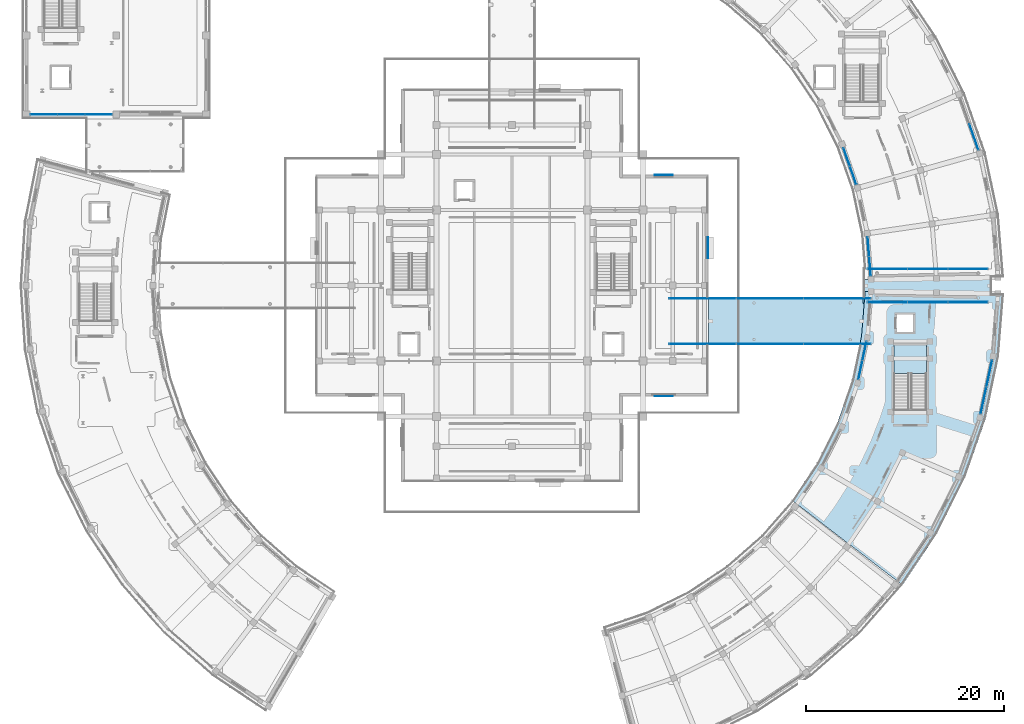
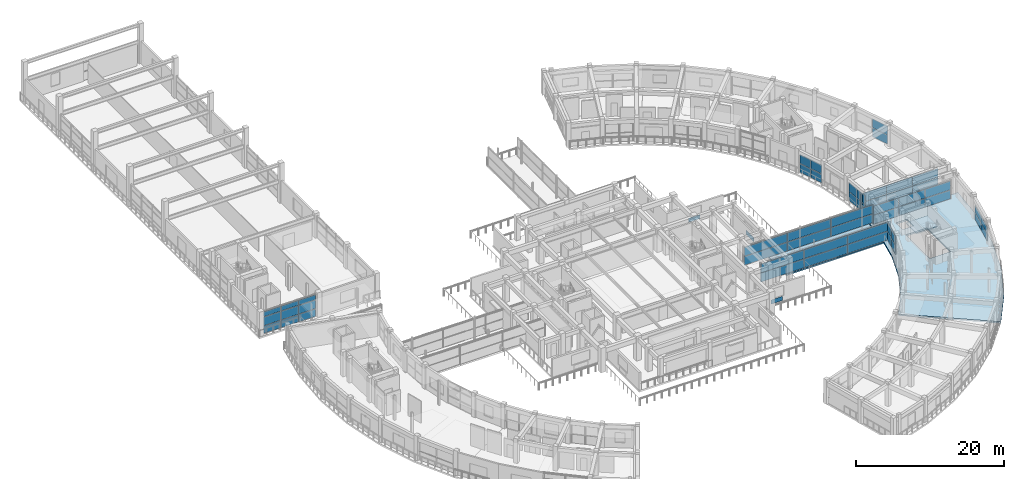
# One storey, part 40 of 72: 54 plates, 4 slabs, 11 elements without a shape of their own.
"""IFC4 building model written with IfcOpenShell, lengths in metres."""

from ifc_helpers import new_model, si_unit, direction, frame, origin, origin_2d, place, context, subcontext, project, spatial, polyline, rectangle, outline, extrude, material, layer, layer_set, type_object, element, aggregate, save


model = new_model("IFC4")

# Units and contexts
model_context = context("Model", 3, precision=1e-05, world=origin(), true_north=direction((0.0, 1.0)))
body_context = subcontext(model_context, "Body", "Model", "MODEL_VIEW")
ifc_project = project(units=[si_unit("LENGTHUNIT", "METRE"), si_unit("AREAUNIT", "SQUARE_METRE"), si_unit("VOLUMEUNIT", "CUBIC_METRE"), si_unit("PLANEANGLEUNIT", "RADIAN"), si_unit("MASSUNIT", "GRAM", prefix="KILO")], contexts=[model_context])

# Site, building, storey
site_placement = place(None, origin())
site = spatial("IfcSite", under=ifc_project, at=site_placement, CompositionType="ELEMENT")
building_placement = place(site_placement, origin())
building = spatial("IfcBuilding", under=site, at=building_placement, Name="Saryqyr Civic Hall", CompositionType="ELEMENT")
storey_placement = place(building_placement, frame((0.0, 0.0, 17.25)))
storey = spatial("IfcBuildingStorey", under=building, at=storey_placement, Name="L04", CompositionType="ELEMENT", Elevation=17.25)

# Curtain wall, plates
ifc_material_1 = material(Name="Anodised aluminium and triple low-E glass", Category="aluminium")
curtain_wall_type_1 = type_object("IfcCurtainWallType", Name="ENV-CW-STD-03", PredefinedType="NOTDEFINED", material=ifc_material_1)
curtain_wall_1_placement = place(storey_placement, origin())
curtain_wall_1 = element("IfcCurtainWall", 1, at=curtain_wall_1_placement, inside=storey, type_object=curtain_wall_type_1, Name="Curtain wall V5-CWO-L04-08", PredefinedType="NOTDEFINED")
ifc_material_2 = material(Name="Triple low-E insulated glazing", Category="glass")
ifc_layer_1 = layer(ifc_material_2, 0.053955078125, Name="Triple low-E insulated glazing")
ifc_layer_set_1 = layer_set([ifc_layer_1], Name="Triple low-E insulated glazing")
plate_type_1 = type_object("IfcPlateType", Name="ENV-CW-PNL-38", PredefinedType="CURTAIN_PANEL", material=ifc_layer_set_1)
plate_1_placement = place(storey_placement, frame((105.110107421875, 75.148193359375, 0.06005859375), z_axis=(0.0, 0.0, 1.0), x_axis=(-0.208908324386, -0.97793522894, 0.0)))
plate_1 = element("IfcPlate", 2, at=plate_1_placement, type_object=plate_type_1, Name="CW-03 panel 1.1", PredefinedType="CURTAIN_PANEL", context=body_context, shape_type="SweptSolid", body=[
    extrude(rectangle(XDim=2.7265625, YDim=0.053955078125, at=origin_2d()), origin(), (0.0, 0.0, 1.0), 1.135009765625),
])
plate_2_placement = place(storey_placement, frame((105.110107421875, 75.148193359375, 1.2548828125), z_axis=(0.0, 0.0, 1.0), x_axis=(-0.208908324386, -0.97793522894, 0.0)))
plate_2 = element("IfcPlate", 3, at=plate_2_placement, type_object=plate_type_1, Name="CW-03 panel 1.2", PredefinedType="CURTAIN_PANEL", context=body_context, shape_type="SweptSolid", body=[
    extrude(rectangle(XDim=2.7265625, YDim=0.053955078125, at=origin_2d()), origin(), (0.0, 0.0, 1.0), 1.135009765625),
])
plate_3_placement = place(storey_placement, frame((104.52783203125, 72.423095703125, 0.06005859375), z_axis=(0.0, 0.0, 1.0), x_axis=(-0.208908324386, -0.97793522894, 0.0)))
plate_3 = element("IfcPlate", 4, at=plate_3_placement, type_object=plate_type_1, Name="CW-03 panel 2.1", PredefinedType="CURTAIN_PANEL", context=body_context, shape_type="SweptSolid", body=[
    extrude(rectangle(XDim=2.7265625, YDim=0.053955078125, at=origin_2d()), origin(), (0.0, 0.0, 1.0), 1.135009765625),
])
plate_4_placement = place(storey_placement, frame((104.52783203125, 72.423095703125, 1.2548828125), z_axis=(0.0, 0.0, 1.0), x_axis=(-0.208908324386, -0.97793522894, 0.0)))
plate_4 = element("IfcPlate", 5, at=plate_4_placement, type_object=plate_type_1, Name="CW-03 panel 2.2", PredefinedType="CURTAIN_PANEL", context=body_context, shape_type="SweptSolid", body=[
    extrude(rectangle(XDim=2.7265625, YDim=0.053955078125, at=origin_2d()), origin(), (0.0, 0.0, 1.0), 1.135009765625),
])
aggregate(curtain_wall_1, [plate_1, plate_2, plate_3, plate_4])

curtain_wall_type_2 = type_object("IfcCurtainWallType", Name="ENV-CW-STD-13", PredefinedType="NOTDEFINED", material=ifc_material_1)
curtain_wall_2_placement = place(storey_placement, origin())
curtain_wall_2 = element("IfcCurtainWall", 6, at=curtain_wall_2_placement, inside=storey, type_object=curtain_wall_type_2, Name="Curtain wall V5-CWI-L04-08", PredefinedType="NOTDEFINED")
plate_5_placement = place(storey_placement, frame((92.122802734375, 75.49560546875, 0.06005859375), z_axis=(0.0, 0.0, 1.0), x_axis=(0.208899296688, 0.97793715741, 0.0)))
plate_5 = element("IfcPlate", 7, at=plate_5_placement, type_object=plate_type_1, Name="CW-13 panel 1.1", PredefinedType="CURTAIN_PANEL", context=body_context, shape_type="SweptSolid", body=[
    extrude(rectangle(XDim=1.89990234375, YDim=0.053955078125, at=origin_2d()), origin(), (0.0, 0.0, 1.0), 1.452880859375),
])
plate_6_placement = place(storey_placement, frame((92.122802734375, 75.49560546875, 1.5732421875), z_axis=(0.0, 0.0, 1.0), x_axis=(0.208899296688, 0.97793715741, 0.0)))
plate_6 = element("IfcPlate", 8, at=plate_6_placement, type_object=plate_type_1, Name="CW-13 panel 1.2", PredefinedType="CURTAIN_PANEL", context=body_context, shape_type="SweptSolid", body=[
    extrude(rectangle(XDim=1.89990234375, YDim=0.053955078125, at=origin_2d()), origin(), (0.0, 0.0, 1.0), 1.451904296875),
])
plate_7_placement = place(storey_placement, frame((92.5322265625, 77.412109375, 0.06005859375), z_axis=(0.0, 0.0, 1.0), x_axis=(0.208899296688, 0.97793715741, 0.0)))
plate_7 = element("IfcPlate", 9, at=plate_7_placement, type_object=plate_type_1, Name="CW-13 panel 2.1", PredefinedType="CURTAIN_PANEL", context=body_context, shape_type="SweptSolid", body=[
    extrude(rectangle(XDim=1.89990234375, YDim=0.053955078125, at=origin_2d()), origin(), (0.0, 0.0, 1.0), 1.452880859375),
])
plate_8_placement = place(storey_placement, frame((92.5322265625, 77.412109375, 1.5732421875), z_axis=(0.0, 0.0, 1.0), x_axis=(0.208899296688, 0.97793715741, 0.0)))
plate_8 = element("IfcPlate", 10, at=plate_8_placement, type_object=plate_type_1, Name="CW-13 panel 2.2", PredefinedType="CURTAIN_PANEL", context=body_context, shape_type="SweptSolid", body=[
    extrude(rectangle(XDim=1.89990234375, YDim=0.053955078125, at=origin_2d()), origin(), (0.0, 0.0, 1.0), 1.451904296875),
])
aggregate(curtain_wall_2, [plate_5, plate_6, plate_7, plate_8])

curtain_wall_3_placement = place(storey_placement, origin())
curtain_wall_3 = element("IfcCurtainWall", 11, at=curtain_wall_3_placement, inside=storey, type_object=curtain_wall_type_2, Name="Curtain wall V6-CWI-L04-00", PredefinedType="NOTDEFINED")
plate_9_placement = place(storey_placement, frame((93.085205078125, 85.9501953125, 0.06005859375), z_axis=(0.0, 0.0, 1.0), x_axis=(-0.081090889978, 0.996706710905, 0.0)))
plate_9 = element("IfcPlate", 12, at=plate_9_placement, type_object=plate_type_1, Name="CW-13 panel 1.1", PredefinedType="CURTAIN_PANEL", context=body_context, shape_type="SweptSolid", body=[
    extrude(rectangle(XDim=1.906494140625, YDim=0.053955078125, at=origin_2d()), origin(), (0.0, 0.0, 1.0), 1.452880859375),
])
plate_10_placement = place(storey_placement, frame((93.085205078125, 85.9501953125, 1.5732421875), z_axis=(0.0, 0.0, 1.0), x_axis=(-0.081090889978, 0.996706710905, 0.0)))
plate_10 = element("IfcPlate", 13, at=plate_10_placement, type_object=plate_type_1, Name="CW-13 panel 1.2", PredefinedType="CURTAIN_PANEL", context=body_context, shape_type="SweptSolid", body=[
    extrude(rectangle(XDim=1.906494140625, YDim=0.053955078125, at=origin_2d()), origin(), (0.0, 0.0, 1.0), 1.451904296875),
])
plate_11_placement = place(storey_placement, frame((92.92578125, 87.91015625, 0.06005859375), z_axis=(0.0, 0.0, 1.0), x_axis=(-0.081090889978, 0.996706710905, 0.0)))
plate_11 = element("IfcPlate", 14, at=plate_11_placement, type_object=plate_type_1, Name="CW-13 panel 2.1", PredefinedType="CURTAIN_PANEL", context=body_context, shape_type="SweptSolid", body=[
    extrude(rectangle(XDim=1.906494140625, YDim=0.053955078125, at=origin_2d()), origin(), (0.0, 0.0, 1.0), 1.452880859375),
])
plate_12_placement = place(storey_placement, frame((92.92578125, 87.91015625, 1.5732421875), z_axis=(0.0, 0.0, 1.0), x_axis=(-0.081090889978, 0.996706710905, 0.0)))
plate_12 = element("IfcPlate", 15, at=plate_12_placement, type_object=plate_type_1, Name="CW-13 panel 2.2", PredefinedType="CURTAIN_PANEL", context=body_context, shape_type="SweptSolid", body=[
    extrude(rectangle(XDim=1.906494140625, YDim=0.053955078125, at=origin_2d()), origin(), (0.0, 0.0, 1.0), 1.451904296875),
])
aggregate(curtain_wall_3, [plate_9, plate_10, plate_11, plate_12])

curtain_wall_type_3 = type_object("IfcCurtainWallType", Name="ENV-CW-STD-14", PredefinedType="NOTDEFINED", material=ifc_material_1)
curtain_wall_4_placement = place(storey_placement, origin())
curtain_wall_4 = element("IfcCurtainWall", 16, at=curtain_wall_4_placement, inside=storey, type_object=curtain_wall_type_3, Name="Curtain wall V6-CWO-L04-02", PredefinedType="NOTDEFINED")
plate_13_placement = place(storey_placement, frame((103.565673828125, 98.984619140625, 0.06005859375), z_axis=(0.0, 0.0, 1.0), x_axis=(0.33318018147, -0.942863174949, 0.0)))
plate_13 = element("IfcPlate", 17, at=plate_13_placement, type_object=plate_type_1, Name="CW-14 panel 2.1", PredefinedType="CURTAIN_PANEL", context=body_context, shape_type="SweptSolid", body=[
    extrude(rectangle(XDim=2.713623046875, YDim=0.053955078125, at=origin_2d()), origin(), (0.0, 0.0, 1.0), 1.452880859375),
])
plate_14_placement = place(storey_placement, frame((103.565673828125, 98.984619140625, 1.5732421875), z_axis=(0.0, 0.0, 1.0), x_axis=(0.33318018147, -0.942863174949, 0.0)))
plate_14 = element("IfcPlate", 18, at=plate_14_placement, type_object=plate_type_1, Name="CW-14 panel 2.2", PredefinedType="CURTAIN_PANEL", context=body_context, shape_type="SweptSolid", body=[
    extrude(rectangle(XDim=2.713623046875, YDim=0.053955078125, at=origin_2d()), origin(), (0.0, 0.0, 1.0), 1.451904296875),
])
aggregate(curtain_wall_4, [plate_13, plate_14])

curtain_wall_5_placement = place(storey_placement, origin())
curtain_wall_5 = element("IfcCurtainWall", 19, at=curtain_wall_5_placement, inside=storey, type_object=curtain_wall_type_2, Name="Curtain wall V6-CWI-L04-02", PredefinedType="NOTDEFINED")
plate_15_placement = place(storey_placement, frame((91.384765625, 95.118408203125, 0.06005859375), z_axis=(0.0, 0.0, 1.0), x_axis=(-0.333171977335, 0.94286607401, 0.0)))
plate_15 = element("IfcPlate", 20, at=plate_15_placement, type_object=plate_type_1, Name="CW-13 panel 1.1", PredefinedType="CURTAIN_PANEL", context=body_context, shape_type="SweptSolid", body=[
    extrude(rectangle(XDim=1.886962890625, YDim=0.053955078125, at=origin_2d()), origin(), (0.0, 0.0, 1.0), 1.452880859375),
])
plate_16_placement = place(storey_placement, frame((91.384765625, 95.118408203125, 1.5732421875), z_axis=(0.0, 0.0, 1.0), x_axis=(-0.333171977335, 0.94286607401, 0.0)))
plate_16 = element("IfcPlate", 21, at=plate_16_placement, type_object=plate_type_1, Name="CW-13 panel 1.2", PredefinedType="CURTAIN_PANEL", context=body_context, shape_type="SweptSolid", body=[
    extrude(rectangle(XDim=1.886962890625, YDim=0.053955078125, at=origin_2d()), origin(), (0.0, 0.0, 1.0), 1.451904296875),
])
plate_17_placement = place(storey_placement, frame((90.73583984375, 96.9541015625, 0.06005859375), z_axis=(0.0, 0.0, 1.0), x_axis=(-0.333171977335, 0.94286607401, 0.0)))
plate_17 = element("IfcPlate", 22, at=plate_17_placement, type_object=plate_type_1, Name="CW-13 panel 2.1", PredefinedType="CURTAIN_PANEL", context=body_context, shape_type="SweptSolid", body=[
    extrude(rectangle(XDim=1.886962890625, YDim=0.053955078125, at=origin_2d()), origin(), (0.0, 0.0, 1.0), 1.452880859375),
])
plate_18_placement = place(storey_placement, frame((90.73583984375, 96.9541015625, 1.5732421875), z_axis=(0.0, 0.0, 1.0), x_axis=(-0.333171977335, 0.94286607401, 0.0)))
plate_18 = element("IfcPlate", 23, at=plate_18_placement, type_object=plate_type_1, Name="CW-13 panel 2.2", PredefinedType="CURTAIN_PANEL", context=body_context, shape_type="SweptSolid", body=[
    extrude(rectangle(XDim=1.886962890625, YDim=0.053955078125, at=origin_2d()), origin(), (0.0, 0.0, 1.0), 1.451904296875),
])
aggregate(curtain_wall_5, [plate_15, plate_16, plate_17, plate_18])

curtain_wall_type_4 = type_object("IfcCurtainWallType", Name="ENV-CW-STD-54", PredefinedType="NOTDEFINED", material=ifc_material_1)
curtain_wall_6_placement = place(storey_placement, origin())
curtain_wall_6 = element("IfcCurtainWall", 24, at=curtain_wall_6_placement, inside=storey, type_object=curtain_wall_type_4, Name="Curtain wall V3-CW-L04-0-1", PredefinedType="NOTDEFINED")
plate_19_placement = place(storey_placement, frame((15.316650390625, 101.25, 0.06005859375), z_axis=(0.0, 0.0, 1.0), x_axis=(-1.0, 0.0, 0.0)))
plate_19 = element("IfcPlate", 25, at=plate_19_placement, type_object=plate_type_1, Name="CW-54 panel 1.1", PredefinedType="CURTAIN_PANEL", context=body_context, shape_type="SweptSolid", body=[
    extrude(rectangle(XDim=2.666748046875, YDim=0.053955078125, at=origin_2d()), origin(), (0.0, 0.0, 1.0), 1.241943359375),
])
plate_20_placement = place(storey_placement, frame((15.316650390625, 101.25, 1.362060546875), z_axis=(0.0, 0.0, 1.0), x_axis=(-1.0, 0.0, 0.0)))
plate_20 = element("IfcPlate", 26, at=plate_20_placement, type_object=plate_type_1, Name="CW-54 panel 1.2", PredefinedType="CURTAIN_PANEL", context=body_context, shape_type="SweptSolid", body=[
    extrude(rectangle(XDim=2.666748046875, YDim=0.053955078125, at=origin_2d()), origin(), (0.0, 0.0, 1.0), 1.419921875),
])
plate_21_placement = place(storey_placement, frame((15.316650390625, 101.25, 2.841796875), z_axis=(0.0, 0.0, 1.0), x_axis=(-1.0, 0.0, 0.0)))
plate_21 = element("IfcPlate", 27, at=plate_21_placement, type_object=plate_type_1, Name="CW-54 panel 1.3", PredefinedType="CURTAIN_PANEL", context=body_context, shape_type="SweptSolid", body=[
    extrude(rectangle(XDim=2.666748046875, YDim=0.053955078125, at=origin_2d()), origin(), (0.0, 0.0, 1.0), 0.798095703125),
])
plate_22_placement = place(storey_placement, frame((12.574951171875, 101.25, 0.06005859375), z_axis=(0.0, 0.0, 1.0), x_axis=(-1.0, 0.0, 0.0)))
plate_22 = element("IfcPlate", 28, at=plate_22_placement, type_object=plate_type_1, Name="CW-54 panel 2.1", PredefinedType="CURTAIN_PANEL", context=body_context, shape_type="SweptSolid", body=[
    extrude(rectangle(XDim=2.69677734375, YDim=0.053955078125, at=origin_2d()), origin(), (0.0, 0.0, 1.0), 1.241943359375),
])
plate_23_placement = place(storey_placement, frame((12.574951171875, 101.25, 1.362060546875), z_axis=(0.0, 0.0, 1.0), x_axis=(-1.0, 0.0, 0.0)))
plate_23 = element("IfcPlate", 29, at=plate_23_placement, type_object=plate_type_1, Name="CW-54 panel 2.2", PredefinedType="CURTAIN_PANEL", context=body_context, shape_type="SweptSolid", body=[
    extrude(rectangle(XDim=2.69677734375, YDim=0.053955078125, at=origin_2d()), origin(), (0.0, 0.0, 1.0), 1.419921875),
])
plate_24_placement = place(storey_placement, frame((12.574951171875, 101.25, 2.841796875), z_axis=(0.0, 0.0, 1.0), x_axis=(-1.0, 0.0, 0.0)))
plate_24 = element("IfcPlate", 30, at=plate_24_placement, type_object=plate_type_1, Name="CW-54 panel 2.3", PredefinedType="CURTAIN_PANEL", context=body_context, shape_type="SweptSolid", body=[
    extrude(rectangle(XDim=2.69677734375, YDim=0.053955078125, at=origin_2d()), origin(), (0.0, 0.0, 1.0), 0.798095703125),
])
plate_25_placement = place(storey_placement, frame((9.833251953125, 101.25, 0.06005859375), z_axis=(0.0, 0.0, 1.0), x_axis=(-1.0, 0.0, 0.0)))
plate_25 = element("IfcPlate", 31, at=plate_25_placement, type_object=plate_type_1, Name="CW-54 panel 3.1", PredefinedType="CURTAIN_PANEL", context=body_context, shape_type="SweptSolid", body=[
    extrude(rectangle(XDim=2.666748046875, YDim=0.053955078125, at=origin_2d()), origin(), (0.0, 0.0, 1.0), 1.241943359375),
])
plate_26_placement = place(storey_placement, frame((9.833251953125, 101.25, 1.362060546875), z_axis=(0.0, 0.0, 1.0), x_axis=(-1.0, 0.0, 0.0)))
plate_26 = element("IfcPlate", 32, at=plate_26_placement, type_object=plate_type_1, Name="CW-54 panel 3.2", PredefinedType="CURTAIN_PANEL", context=body_context, shape_type="SweptSolid", body=[
    extrude(rectangle(XDim=2.666748046875, YDim=0.053955078125, at=origin_2d()), origin(), (0.0, 0.0, 1.0), 1.419921875),
])
plate_27_placement = place(storey_placement, frame((9.833251953125, 101.25, 2.841796875), z_axis=(0.0, 0.0, 1.0), x_axis=(-1.0, 0.0, 0.0)))
plate_27 = element("IfcPlate", 33, at=plate_27_placement, type_object=plate_type_1, Name="CW-54 panel 3.3", PredefinedType="CURTAIN_PANEL", context=body_context, shape_type="SweptSolid", body=[
    extrude(rectangle(XDim=2.666748046875, YDim=0.053955078125, at=origin_2d()), origin(), (0.0, 0.0, 1.0), 0.798095703125),
])
aggregate(curtain_wall_6, [plate_19, plate_20, plate_21, plate_22, plate_23, plate_24, plate_25, plate_26, plate_27])

curtain_wall_type_5 = type_object("IfcCurtainWallType", Name="ENV-CW-STD-81", PredefinedType="NOTDEFINED", material=ifc_material_1)
curtain_wall_7_placement = place(storey_placement, origin())
curtain_wall_7 = element("IfcCurtainWall", 34, at=curtain_wall_7_placement, inside=storey, type_object=curtain_wall_type_5, Name="Curtain wall BR-E-CW1-L04", PredefinedType="NOTDEFINED")
plate_28_placement = place(storey_placement, frame((102.95166015625, 82.320068359375, 0.06005859375), z_axis=(0.0, 0.0, 1.0), x_axis=(-1.0, 0.0, 0.0)))
plate_28 = element("IfcPlate", 35, at=plate_28_placement, type_object=plate_type_1, Name="CW-81 panel 1.1", PredefinedType="CURTAIN_PANEL", context=body_context, shape_type="SweptSolid", body=[
    extrude(rectangle(XDim=3.9765625, YDim=0.053955078125, at=origin_2d()), origin(), (0.0, 0.0, 1.0), 1.452880859375),
])
plate_29_placement = place(storey_placement, frame((102.95166015625, 82.320068359375, 1.5732421875), z_axis=(0.0, 0.0, 1.0), x_axis=(-1.0, 0.0, 0.0)))
plate_29 = element("IfcPlate", 36, at=plate_29_placement, type_object=plate_type_1, Name="CW-81 panel 1.2", PredefinedType="CURTAIN_PANEL", context=body_context, shape_type="SweptSolid", body=[
    extrude(rectangle(XDim=3.9765625, YDim=0.053955078125, at=origin_2d()), origin(), (0.0, 0.0, 1.0), 1.451904296875),
])
plate_30_placement = place(storey_placement, frame((98.89990234375, 82.320068359375, 0.06005859375), z_axis=(0.0, 0.0, 1.0), x_axis=(-1.0, 0.0, 0.0)))
plate_30 = element("IfcPlate", 37, at=plate_30_placement, type_object=plate_type_1, Name="CW-81 panel 2.1", PredefinedType="CURTAIN_PANEL", context=body_context, shape_type="SweptSolid", body=[
    extrude(rectangle(XDim=4.006591796875, YDim=0.053955078125, at=origin_2d()), origin(), (0.0, 0.0, 1.0), 1.452880859375),
])
plate_31_placement = place(storey_placement, frame((98.89990234375, 82.320068359375, 1.5732421875), z_axis=(0.0, 0.0, 1.0), x_axis=(-1.0, 0.0, 0.0)))
plate_31 = element("IfcPlate", 38, at=plate_31_placement, type_object=plate_type_1, Name="CW-81 panel 2.2", PredefinedType="CURTAIN_PANEL", context=body_context, shape_type="SweptSolid", body=[
    extrude(rectangle(XDim=4.006591796875, YDim=0.053955078125, at=origin_2d()), origin(), (0.0, 0.0, 1.0), 1.451904296875),
])
plate_32_placement = place(storey_placement, frame((94.848388671875, 82.320068359375, 0.06005859375), z_axis=(0.0, 0.0, 1.0), x_axis=(-1.0, 0.0, 0.0)))
plate_32 = element("IfcPlate", 39, at=plate_32_placement, type_object=plate_type_1, Name="CW-81 panel 3.1", PredefinedType="CURTAIN_PANEL", context=body_context, shape_type="SweptSolid", body=[
    extrude(rectangle(XDim=3.9765625, YDim=0.053955078125, at=origin_2d()), origin(), (0.0, 0.0, 1.0), 1.452880859375),
])
plate_33_placement = place(storey_placement, frame((94.848388671875, 82.320068359375, 1.5732421875), z_axis=(0.0, 0.0, 1.0), x_axis=(-1.0, 0.0, 0.0)))
plate_33 = element("IfcPlate", 40, at=plate_33_placement, type_object=plate_type_1, Name="CW-81 panel 3.2", PredefinedType="CURTAIN_PANEL", context=body_context, shape_type="SweptSolid", body=[
    extrude(rectangle(XDim=3.9765625, YDim=0.053955078125, at=origin_2d()), origin(), (0.0, 0.0, 1.0), 1.451904296875),
])
aggregate(curtain_wall_7, [plate_28, plate_29, plate_30, plate_31, plate_32, plate_33])

curtain_wall_8_placement = place(storey_placement, origin())
curtain_wall_8 = element("IfcCurtainWall", 41, at=curtain_wall_8_placement, inside=storey, type_object=curtain_wall_type_5, Name="Curtain wall BR-E-CW2-L04", PredefinedType="NOTDEFINED")
plate_34_placement = place(storey_placement, frame((94.848388671875, 85.679931640625, 0.06005859375), z_axis=(0.0, 0.0, 1.0), x_axis=(1.0, 0.0, 0.0)))
plate_34 = element("IfcPlate", 42, at=plate_34_placement, type_object=plate_type_1, Name="CW-81 panel 1.1", PredefinedType="CURTAIN_PANEL", context=body_context, shape_type="SweptSolid", body=[
    extrude(rectangle(XDim=3.9765625, YDim=0.053955078125, at=origin_2d()), origin(), (0.0, 0.0, 1.0), 1.452880859375),
])
plate_35_placement = place(storey_placement, frame((94.848388671875, 85.679931640625, 1.5732421875), z_axis=(0.0, 0.0, 1.0), x_axis=(1.0, 0.0, 0.0)))
plate_35 = element("IfcPlate", 43, at=plate_35_placement, type_object=plate_type_1, Name="CW-81 panel 1.2", PredefinedType="CURTAIN_PANEL", context=body_context, shape_type="SweptSolid", body=[
    extrude(rectangle(XDim=3.9765625, YDim=0.053955078125, at=origin_2d()), origin(), (0.0, 0.0, 1.0), 1.451904296875),
])
plate_36_placement = place(storey_placement, frame((98.89990234375, 85.679931640625, 0.06005859375), z_axis=(0.0, 0.0, 1.0), x_axis=(1.0, 0.0, 0.0)))
plate_36 = element("IfcPlate", 44, at=plate_36_placement, type_object=plate_type_1, Name="CW-81 panel 2.1", PredefinedType="CURTAIN_PANEL", context=body_context, shape_type="SweptSolid", body=[
    extrude(rectangle(XDim=4.006591796875, YDim=0.053955078125, at=origin_2d()), origin(), (0.0, 0.0, 1.0), 1.452880859375),
])
plate_37_placement = place(storey_placement, frame((98.89990234375, 85.679931640625, 1.5732421875), z_axis=(0.0, 0.0, 1.0), x_axis=(1.0, 0.0, 0.0)))
plate_37 = element("IfcPlate", 45, at=plate_37_placement, type_object=plate_type_1, Name="CW-81 panel 2.2", PredefinedType="CURTAIN_PANEL", context=body_context, shape_type="SweptSolid", body=[
    extrude(rectangle(XDim=4.006591796875, YDim=0.053955078125, at=origin_2d()), origin(), (0.0, 0.0, 1.0), 1.451904296875),
])
plate_38_placement = place(storey_placement, frame((102.95166015625, 85.679931640625, 0.06005859375), z_axis=(0.0, 0.0, 1.0), x_axis=(1.0, 0.0, 0.0)))
plate_38 = element("IfcPlate", 46, at=plate_38_placement, type_object=plate_type_1, Name="CW-81 panel 3.1", PredefinedType="CURTAIN_PANEL", context=body_context, shape_type="SweptSolid", body=[
    extrude(rectangle(XDim=3.9765625, YDim=0.053955078125, at=origin_2d()), origin(), (0.0, 0.0, 1.0), 1.452880859375),
])
plate_39_placement = place(storey_placement, frame((102.95166015625, 85.679931640625, 1.5732421875), z_axis=(0.0, 0.0, 1.0), x_axis=(1.0, 0.0, 0.0)))
plate_39 = element("IfcPlate", 47, at=plate_39_placement, type_object=plate_type_1, Name="CW-81 panel 3.2", PredefinedType="CURTAIN_PANEL", context=body_context, shape_type="SweptSolid", body=[
    extrude(rectangle(XDim=3.9765625, YDim=0.053955078125, at=origin_2d()), origin(), (0.0, 0.0, 1.0), 1.451904296875),
])
aggregate(curtain_wall_8, [plate_34, plate_35, plate_36, plate_37, plate_38, plate_39])

curtain_wall_type_6 = type_object("IfcCurtainWallType", Name="ENV-CW-STD-87", PredefinedType="NOTDEFINED", material=ifc_material_1)
curtain_wall_9_placement = place(storey_placement, origin())
curtain_wall_9 = element("IfcCurtainWall", 48, at=curtain_wall_9_placement, inside=storey, type_object=curtain_wall_type_6, Name="Curtain wall BR-CE-CW1-L04", PredefinedType="NOTDEFINED")
plate_40_placement = place(storey_placement, frame((89.784912109375, 78.1201171875, 0.06005859375), z_axis=(0.0, 0.0, 1.0), x_axis=(-1.0, 0.0, 0.0)))
plate_40 = element("IfcPlate", 49, at=plate_40_placement, type_object=plate_type_1, Name="CW-87 panel 1.1", PredefinedType="CURTAIN_PANEL", context=body_context, shape_type="SweptSolid", body=[
    extrude(rectangle(XDim=6.7099609375, YDim=0.053955078125, at=origin_2d()), origin(), (0.0, 0.0, 1.0), 1.452880859375),
])
plate_41_placement = place(storey_placement, frame((89.784912109375, 78.1201171875, 1.5732421875), z_axis=(0.0, 0.0, 1.0), x_axis=(-1.0, 0.0, 0.0)))
plate_41 = element("IfcPlate", 50, at=plate_41_placement, type_object=plate_type_1, Name="CW-87 panel 1.2", PredefinedType="CURTAIN_PANEL", context=body_context, shape_type="SweptSolid", body=[
    extrude(rectangle(XDim=6.7099609375, YDim=0.053955078125, at=origin_2d()), origin(), (0.0, 0.0, 1.0), 1.451904296875),
])
plate_42_placement = place(storey_placement, frame((83.0, 78.1201171875, 0.06005859375), z_axis=(0.0, 0.0, 1.0), x_axis=(-1.0, 0.0, 0.0)))
plate_42 = element("IfcPlate", 51, at=plate_42_placement, type_object=plate_type_1, Name="CW-87 panel 2.1", PredefinedType="CURTAIN_PANEL", context=body_context, shape_type="SweptSolid", body=[
    extrude(rectangle(XDim=6.739990234375, YDim=0.053955078125, at=origin_2d()), origin(), (0.0, 0.0, 1.0), 1.452880859375),
])
plate_43_placement = place(storey_placement, frame((83.0, 78.1201171875, 1.5732421875), z_axis=(0.0, 0.0, 1.0), x_axis=(-1.0, 0.0, 0.0)))
plate_43 = element("IfcPlate", 52, at=plate_43_placement, type_object=plate_type_1, Name="CW-87 panel 2.2", PredefinedType="CURTAIN_PANEL", context=body_context, shape_type="SweptSolid", body=[
    extrude(rectangle(XDim=6.739990234375, YDim=0.053955078125, at=origin_2d()), origin(), (0.0, 0.0, 1.0), 1.451904296875),
])
plate_44_placement = place(storey_placement, frame((76.215087890625, 78.1201171875, 0.06005859375), z_axis=(0.0, 0.0, 1.0), x_axis=(-1.0, 0.0, 0.0)))
plate_44 = element("IfcPlate", 53, at=plate_44_placement, type_object=plate_type_1, Name="CW-87 panel 3.1", PredefinedType="CURTAIN_PANEL", context=body_context, shape_type="SweptSolid", body=[
    extrude(rectangle(XDim=6.7099609375, YDim=0.053955078125, at=origin_2d()), origin(), (0.0, 0.0, 1.0), 1.452880859375),
])
plate_45_placement = place(storey_placement, frame((76.215087890625, 78.1201171875, 1.5732421875), z_axis=(0.0, 0.0, 1.0), x_axis=(-1.0, 0.0, 0.0)))
plate_45 = element("IfcPlate", 54, at=plate_45_placement, type_object=plate_type_1, Name="CW-87 panel 3.2", PredefinedType="CURTAIN_PANEL", context=body_context, shape_type="SweptSolid", body=[
    extrude(rectangle(XDim=6.7099609375, YDim=0.053955078125, at=origin_2d()), origin(), (0.0, 0.0, 1.0), 1.451904296875),
])
aggregate(curtain_wall_9, [plate_40, plate_41, plate_42, plate_43, plate_44, plate_45])

curtain_wall_10_placement = place(storey_placement, origin())
curtain_wall_10 = element("IfcCurtainWall", 55, at=curtain_wall_10_placement, inside=storey, type_object=curtain_wall_type_6, Name="Curtain wall BR-CE-CW2-L04", PredefinedType="NOTDEFINED")
plate_46_placement = place(storey_placement, frame((76.215087890625, 82.679931640625, 0.06005859375), z_axis=(0.0, 0.0, 1.0), x_axis=(1.0, 0.0, 0.0)))
plate_46 = element("IfcPlate", 56, at=plate_46_placement, type_object=plate_type_1, Name="CW-87 panel 1.1", PredefinedType="CURTAIN_PANEL", context=body_context, shape_type="SweptSolid", body=[
    extrude(rectangle(XDim=6.7099609375, YDim=0.053955078125, at=origin_2d()), origin(), (0.0, 0.0, 1.0), 1.452880859375),
])
plate_47_placement = place(storey_placement, frame((76.215087890625, 82.679931640625, 1.5732421875), z_axis=(0.0, 0.0, 1.0), x_axis=(1.0, 0.0, 0.0)))
plate_47 = element("IfcPlate", 57, at=plate_47_placement, type_object=plate_type_1, Name="CW-87 panel 1.2", PredefinedType="CURTAIN_PANEL", context=body_context, shape_type="SweptSolid", body=[
    extrude(rectangle(XDim=6.7099609375, YDim=0.053955078125, at=origin_2d()), origin(), (0.0, 0.0, 1.0), 1.451904296875),
])
plate_48_placement = place(storey_placement, frame((83.0, 82.679931640625, 0.06005859375), z_axis=(0.0, 0.0, 1.0), x_axis=(1.0, 0.0, 0.0)))
plate_48 = element("IfcPlate", 58, at=plate_48_placement, type_object=plate_type_1, Name="CW-87 panel 2.1", PredefinedType="CURTAIN_PANEL", context=body_context, shape_type="SweptSolid", body=[
    extrude(rectangle(XDim=6.739990234375, YDim=0.053955078125, at=origin_2d()), origin(), (0.0, 0.0, 1.0), 1.452880859375),
])
plate_49_placement = place(storey_placement, frame((83.0, 82.679931640625, 1.5732421875), z_axis=(0.0, 0.0, 1.0), x_axis=(1.0, 0.0, 0.0)))
plate_49 = element("IfcPlate", 59, at=plate_49_placement, type_object=plate_type_1, Name="CW-87 panel 2.2", PredefinedType="CURTAIN_PANEL", context=body_context, shape_type="SweptSolid", body=[
    extrude(rectangle(XDim=6.739990234375, YDim=0.053955078125, at=origin_2d()), origin(), (0.0, 0.0, 1.0), 1.451904296875),
])
plate_50_placement = place(storey_placement, frame((89.784912109375, 82.679931640625, 0.06005859375), z_axis=(0.0, 0.0, 1.0), x_axis=(1.0, 0.0, 0.0)))
plate_50 = element("IfcPlate", 60, at=plate_50_placement, type_object=plate_type_1, Name="CW-87 panel 3.1", PredefinedType="CURTAIN_PANEL", context=body_context, shape_type="SweptSolid", body=[
    extrude(rectangle(XDim=6.7099609375, YDim=0.053955078125, at=origin_2d()), origin(), (0.0, 0.0, 1.0), 1.452880859375),
])
plate_51_placement = place(storey_placement, frame((89.784912109375, 82.679931640625, 1.5732421875), z_axis=(0.0, 0.0, 1.0), x_axis=(1.0, 0.0, 0.0)))
plate_51 = element("IfcPlate", 61, at=plate_51_placement, type_object=plate_type_1, Name="CW-87 panel 3.2", PredefinedType="CURTAIN_PANEL", context=body_context, shape_type="SweptSolid", body=[
    extrude(rectangle(XDim=6.7099609375, YDim=0.053955078125, at=origin_2d()), origin(), (0.0, 0.0, 1.0), 1.451904296875),
])
aggregate(curtain_wall_10, [plate_46, plate_47, plate_48, plate_49, plate_50, plate_51])

# Plates
ifc_material_3 = material(Name="Warm brushed brass-anodised aluminium", Category="aluminium")
ifc_layer_2 = layer(ifc_material_3, 0.008056640625, Name="Warm brushed brass-anodised aluminium")
ifc_layer_set_2 = layer_set([ifc_layer_2], Name="Warm brushed brass-anodised aluminium")
plate_type_2 = type_object("IfcPlateType", Name="ENV-PLT-BRASS-1", PredefinedType="SHEET", material=ifc_layer_set_2)
plate_52_placement = place(storey_placement, frame((72.300048828125, 72.85302734375, 0.080078125), z_axis=(0.0, 0.0, 1.0), x_axis=(-1.0, 0.0, 0.0)))
element("IfcPlate", 62, at=plate_52_placement, inside=storey, type_object=plate_type_2, Name="Warm brass spandrel cladding sheet L04-09", PredefinedType="SHEET", context=body_context, shape_type="SweptSolid", body=[
    extrude(rectangle(XDim=1.800048828125, YDim=0.008056640625, at=origin_2d()), origin(), (0.0, 0.0, 1.0), 0.679931640625),
])
ifc_layer_3 = layer(ifc_material_3, 0.02001953125, Name="Warm brushed brass-anodised aluminium")
ifc_layer_set_3 = layer_set([ifc_layer_3], Name="Warm brushed brass-anodised aluminium")
plate_type_3 = type_object("IfcPlateType", Name="ENV-PLT-BRASS-2", PredefinedType="SHEET", material=ifc_layer_set_3)
plate_53_placement = place(storey_placement, frame((72.300048828125, 95.153076171875, 0.080078125), z_axis=(0.0, 0.0, 1.0), x_axis=(1.0, 0.0, 0.0)))
element("IfcPlate", 63, at=plate_53_placement, inside=storey, type_object=plate_type_3, Name="Warm brass spandrel cladding sheet L04-07", PredefinedType="SHEET", context=body_context, shape_type="SweptSolid", body=[
    extrude(rectangle(XDim=1.85009765625, YDim=0.02001953125, at=origin_2d()), origin(), (0.0, 0.0, 1.0), 0.679931640625),
])
ifc_layer_4 = layer(ifc_material_3, 0.031982421875, Name="Warm brushed brass-anodised aluminium")
ifc_layer_set_4 = layer_set([ifc_layer_4], Name="Warm brushed brass-anodised aluminium")
plate_type_4 = type_object("IfcPlateType", Name="ENV-PLT-BRASS-3", PredefinedType="SHEET", material=ifc_layer_set_4)
plate_54_placement = place(storey_placement, frame((76.759033203125, 87.800048828125, 0.080078125), z_axis=(0.0, 0.0, 1.0), x_axis=(0.0, -1.0, 0.0)))
element("IfcPlate", 64, at=plate_54_placement, inside=storey, type_object=plate_type_4, Name="Warm brass spandrel cladding sheet L04-08", PredefinedType="SHEET", context=body_context, shape_type="SweptSolid", body=[
    extrude(rectangle(XDim=2.10009765625, YDim=0.031982421875, at=origin_2d()), origin(), (0.0, 0.0, 1.0), 0.679931640625),
])

# Slabs
ifc_material_4 = material(Name="Concrete C35/45", Category="concrete")
ifc_layer_5 = layer(ifc_material_4, 0.22998046875, Name="Concrete C35/45")
ifc_layer_set_5 = layer_set([ifc_layer_5], Name="Concrete C35/45")
slab_type_1 = type_object("IfcSlabType", Name="STR-SLB-FLR-230", PredefinedType="FLOOR", material=ifc_layer_set_5)
slab_1_placement = place(storey_placement, frame((0.0, 0.0, -0.22998046875)))
element("IfcSlab", 65, at=slab_1_placement, inside=storey, type_object=slab_type_1, Name="Slab SLB-BR-E-L04", PredefinedType="FLOOR", context=body_context, shape_type="SweptSolid", body=[
    extrude(outline(polyline([(105.39990234375, 83.197509765625), (92.59521484375, 83.409912109375), (92.497802734375, 82.199951171875), (92.39990234375, 82.199951171875), (92.39990234375, 85.800048828125), (92.4970703125, 85.800048828125), (92.59521484375, 84.590087890625), (105.39990234375, 84.802490234375), (105.39990234375, 83.197509765625)])), origin(), (0.0, 0.0, 1.0), 0.22998046875),
])
slab_2_placement = place(storey_placement, frame((0.0, 0.0, -0.22998046875)))
element("IfcSlab", 66, at=slab_2_placement, inside=storey, type_object=slab_type_1, Name="Slab SLB-BR-CE-L04", PredefinedType="FLOOR", context=body_context, shape_type="SweptSolid", body=[
    extrude(outline(polyline([(92.39990234375, 82.800048828125), (92.39990234375, 82.199951171875), (92.497802734375, 82.199951171875), (92.230712890625, 78.885498046875), (92.0439453125, 78.0), (76.800048828125, 78.0), (76.800048828125, 82.800048828125), (92.39990234375, 82.800048828125)])), origin(), (0.0, 0.0, 1.0), 0.22998046875),
])
ifc_layer_6 = layer(ifc_material_4, 0.260009765625, Name="Concrete C35/45")
ifc_layer_set_6 = layer_set([ifc_layer_6], Name="Concrete C35/45")
slab_type_2 = type_object("IfcSlabType", Name="STR-SLB-FLR-260", PredefinedType="FLOOR", material=ifc_layer_set_6)
slab_3_placement = place(storey_placement, frame((0.0, 0.0, -0.260009765625)))
element("IfcSlab", 67, at=slab_3_placement, inside=storey, type_object=slab_type_2, Name="Slab SLB-V5B-L04", PredefinedType="FLOOR", context=body_context, shape_type="SweptSolid", body=[
    extrude(outline(polyline([(87.771240234375, 66.097900390625), (89.799072265625, 70.15869140625), (91.293701171875, 74.4443359375), (92.230712890625, 78.885498046875), (92.59521484375, 83.409912109375), (106.59326171875, 83.177490234375), (106.08544921875, 76.874267578125), (104.77978515625, 70.6865234375), (102.697509765625, 64.71533203125), (99.872314453125, 59.0576171875), (96.350341796875, 53.805419921875), (85.243408203125, 62.328125), (87.771240234375, 66.097900390625)]), holes=[polyline([(98.800048828125, 78.0), (95.47998046875, 78.0), (95.47998046875, 71.56005859375), (98.800048828125, 71.56005859375), (98.800048828125, 78.0)]), polyline([(97.449951171875, 79.300048828125), (97.449951171875, 81.10009765625), (95.75, 81.10009765625), (95.75, 79.300048828125), (97.449951171875, 79.300048828125)])]), origin(), (0.0, 0.0, 1.0), 0.260009765625),
])

# Stair, slab
stair_type = type_object("IfcStairType", Name="INT-STR-ST-5", PredefinedType="HALF_TURN_STAIR", material=ifc_material_4)
stair_placement = place(storey_placement, origin())
stair = element("IfcStair", 68, at=stair_placement, inside=storey, type_object=stair_type, Name="L04 Protected Exit Stair ST-5", PredefinedType="HALF_TURN_STAIR")
ifc_layer_7 = layer(ifc_material_4, 0.199951171875, Name="Concrete C35/45")
ifc_layer_set_7 = layer_set([ifc_layer_7], Name="Concrete C35/45")
slab_type_3 = type_object("IfcSlabType", Name="STR-SLB-LND-200", PredefinedType="LANDING", material=ifc_layer_set_7)
slab_4_placement = place(storey_placement, frame((0.0, 0.0, 1.824951171875)))
slab_4 = element("IfcSlab", 69, at=slab_4_placement, type_object=slab_type_3, Name="ST-5 landing 1", PredefinedType="LANDING", context=body_context, shape_type="SweptSolid", body=[
    extrude(outline(polyline([(98.800048828125, 75.159912109375), (98.800048828125, 78.0), (95.47998046875, 78.0), (95.47998046875, 75.159912109375), (98.800048828125, 75.159912109375)])), origin(), (0.0, 0.0, 1.0), 0.199951171875),
])
aggregate(stair, [slab_4])

save(model, "model.ifc")
